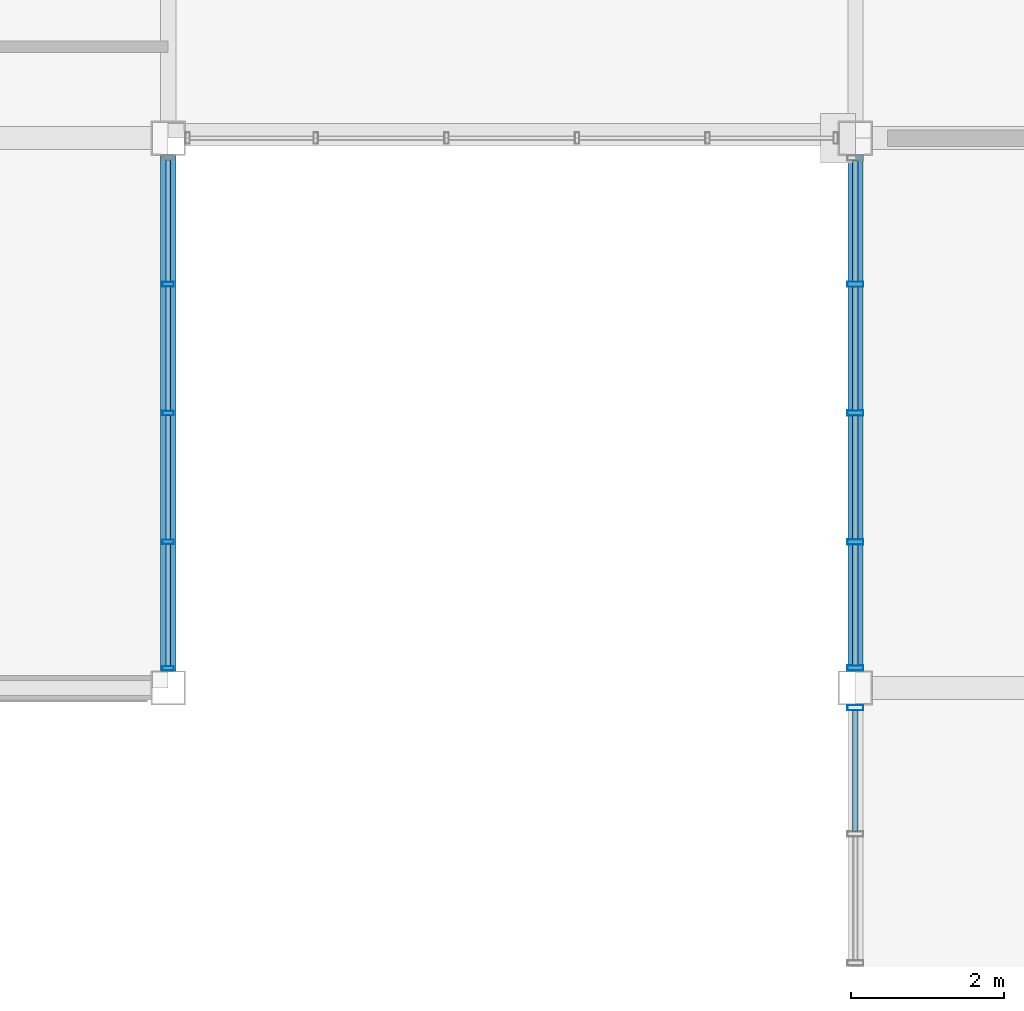
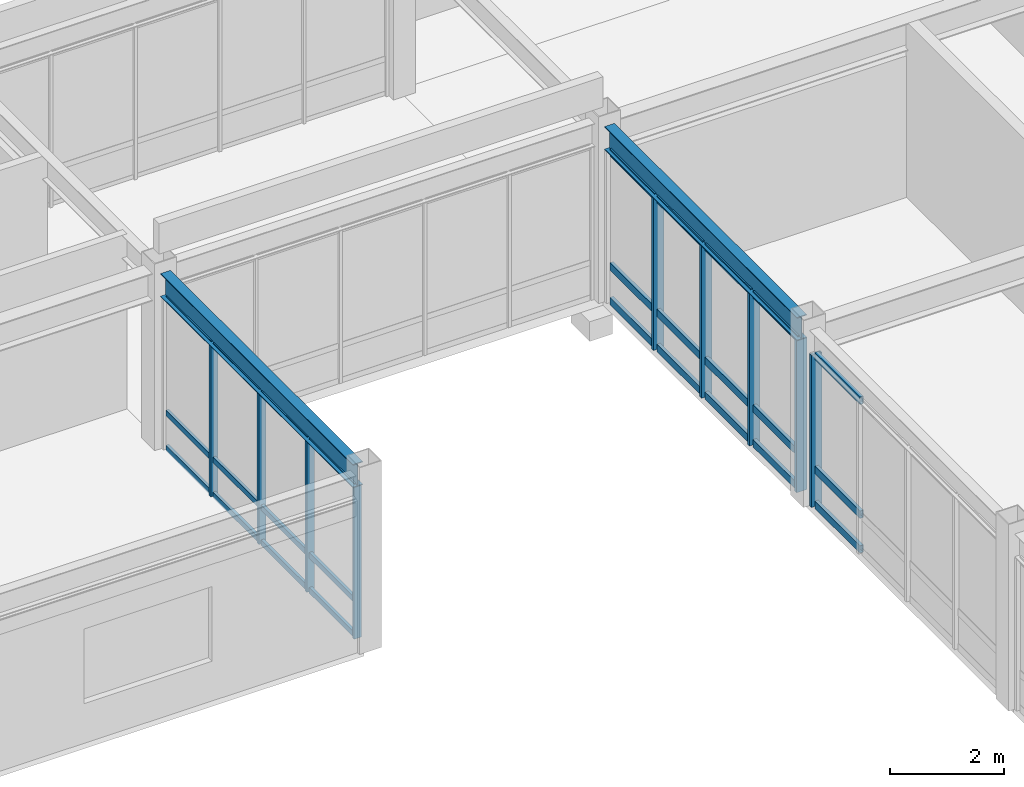
# One storey, part 34 of 122: 36 members, 2 beams, 3 elements without a shape of their own.
"""IFC4 building model written with IfcOpenShell, lengths in metres."""

from ifc_helpers import new_model, si_unit, direction, frame, origin, origin_2d, place, context, subcontext, project, spatial, hollow_rectangle, i_section, extrude, material, material_profile, profile_set, type_object, element, aggregate, save


model = new_model("IFC4")

# Units and contexts
model_context = context("Model", 3, precision=1e-05, world=origin(), true_north=direction((0.0, 1.0)))
body_context = subcontext(model_context, "Body", "Model", "MODEL_VIEW")
ifc_project = project(units=[si_unit("LENGTHUNIT", "METRE"), si_unit("AREAUNIT", "SQUARE_METRE"), si_unit("VOLUMEUNIT", "CUBIC_METRE"), si_unit("PLANEANGLEUNIT", "RADIAN"), si_unit("MASSUNIT", "GRAM", prefix="KILO")], contexts=[model_context])

# Site, building, storey
site_placement = place(None, origin())
site = spatial("IfcSite", under=ifc_project, at=site_placement, CompositionType="ELEMENT")
building_placement = place(site_placement, origin())
building = spatial("IfcBuilding", under=site, at=building_placement, Name="Kazanami Central Library", CompositionType="ELEMENT")
storey_placement = place(building_placement, frame((0.0, 0.0, 4.800048828125)))
storey = spatial("IfcBuildingStorey", under=building, at=storey_placement, Name="L02", CompositionType="ELEMENT", Elevation=4.800048828125)

# Beams
ifc_material_1 = material(Name="Steel SN490B (325 MPa)", Category="steel")
ifc_material_profile_1 = material_profile(ifc_material_1, i_section(OverallWidth=0.199951171875, OverallDepth=0.5, WebThickness=0.010009765625, FlangeThickness=0.01611328125, at=origin_2d()), Name="H-500x200x10x16")
ifc_profile_set_1 = profile_set([ifc_material_profile_1], Name="Steel SN490B (325 MPa)")
beam_type = type_object("IfcBeamType", Name="BM-SP-1", PredefinedType="SPANDREL", material=ifc_profile_set_1)
for number, where, z_axis, x_axis, name in (
    (1, (36.0, 57.822998046875, 3.5048828125), (0.0, 1.0, 0.0), (-1.0, 0.0, 0.0), "Girder SP-1 L02 5/J-K"),
    (2, (45.0, 57.822998046875, 3.5048828125), (0.0, 1.0, 0.0), (-1.0, 0.0, 0.0), "Girder SP-1 L02 6/J-K"),
):
    element("IfcBeam", number, at=place(storey_placement, frame(where, z_axis=z_axis, x_axis=x_axis)), inside=storey, type_object=beam_type, Name=name, PredefinedType="SPANDREL", context=body_context, shape_type="SweptSolid", body=[
        extrude(i_section(OverallWidth=0.199951171875, OverallDepth=0.5, WebThickness=0.010009765625, FlangeThickness=0.01611328125, at=origin_2d()), origin(), (0.0, 0.0, 1.0), 6.75390625),
    ])

# Curtain wall, member
ifc_material_2 = material(Name="Acid-Etched Low-E Laminated Glass", Category="glass")
curtain_wall_type = type_object("IfcCurtainWallType", Name="CW-6750x3255-M180", PredefinedType="USERDEFINED", material=ifc_material_2)
curtain_wall_1_placement = place(storey_placement, origin())
curtain_wall_1 = element("IfcCurtainWall", 3, at=curtain_wall_1_placement, inside=storey, type_object=curtain_wall_type, Name="Covered Link Bridge Curtain Wall CW-21 L02 W-6-07", ObjectType="UNITISED CURTAIN WALL", PredefinedType="USERDEFINED")
ifc_material_3 = material(Name="Anodised Aluminium A6063-T5", Category="aluminium")
ifc_material_profile_2 = material_profile(ifc_material_3, hollow_rectangle(XDim=0.070068359375, YDim=0.2099609375, WallThickness=0.0048828125, at=origin_2d()), Name="ALU-MULL-70x210x5")
ifc_profile_set_2 = profile_set([ifc_material_profile_2], Name="Anodised Aluminium A6063-T5")
member_type_1 = type_object("IfcMemberType", Name="MEM-CW-M1", PredefinedType="MULLION", material=ifc_profile_set_2)
member_1_placement = place(storey_placement, frame((45.0, 57.340087890625, 0.0), z_axis=(0.0, 0.0, 1.0), x_axis=(0.0, 1.0, 0.0)))
member_1 = element("IfcMember", 4, at=member_1_placement, type_object=member_type_1, Name="CW-21 mullion 5", PredefinedType="MULLION", context=body_context, shape_type="SweptSolid", body=[
    extrude(hollow_rectangle(XDim=0.070068359375, YDim=0.2099609375, WallThickness=0.0048828125, at=origin_2d()), origin(), (0.0, 0.0, 1.0), 3.2548828125),
])

# Curtain wall, members
curtain_wall_2_placement = place(storey_placement, origin())
curtain_wall_2 = element("IfcCurtainWall", 5, at=curtain_wall_2_placement, inside=storey, type_object=curtain_wall_type, Name="Covered Link Bridge Curtain Wall CW-21 L02 W-6-08", ObjectType="UNITISED CURTAIN WALL", PredefinedType="USERDEFINED")
member_2_placement = place(storey_placement, frame((45.0, 57.860107421875, 0.0), z_axis=(0.0, 0.0, 1.0), x_axis=(0.0, 1.0, 0.0)))
member_2 = element("IfcMember", 6, at=member_2_placement, type_object=member_type_1, Name="CW-21 mullion 1", PredefinedType="MULLION", context=body_context, shape_type="SweptSolid", body=[
    extrude(hollow_rectangle(XDim=0.070068359375, YDim=0.2099609375, WallThickness=0.0048828125, at=origin_2d()), origin(), (0.0, 0.0, 1.0), 3.2548828125),
])
member_3_placement = place(storey_placement, frame((45.0, 59.512451171875, 0.0), z_axis=(0.0, 0.0, 1.0), x_axis=(0.0, 1.0, 0.0)))
member_3 = element("IfcMember", 7, at=member_3_placement, type_object=member_type_1, Name="CW-21 mullion 2", PredefinedType="MULLION", context=body_context, shape_type="SweptSolid", body=[
    extrude(hollow_rectangle(XDim=0.070068359375, YDim=0.2099609375, WallThickness=0.0048828125, at=origin_2d()), origin(), (0.0, 0.0, 1.0), 3.2548828125),
])
member_4_placement = place(storey_placement, frame((45.0, 61.199951171875, 0.0), z_axis=(0.0, 0.0, 1.0), x_axis=(0.0, 1.0, 0.0)))
member_4 = element("IfcMember", 8, at=member_4_placement, type_object=member_type_1, Name="CW-21 mullion 3", PredefinedType="MULLION", context=body_context, shape_type="SweptSolid", body=[
    extrude(hollow_rectangle(XDim=0.070068359375, YDim=0.2099609375, WallThickness=0.0048828125, at=origin_2d()), origin(), (0.0, 0.0, 1.0), 3.2548828125),
])
member_5_placement = place(storey_placement, frame((45.0, 62.887451171875, 0.0), z_axis=(0.0, 0.0, 1.0), x_axis=(0.0, 1.0, 0.0)))
member_5 = element("IfcMember", 9, at=member_5_placement, type_object=member_type_1, Name="CW-21 mullion 4", PredefinedType="MULLION", context=body_context, shape_type="SweptSolid", body=[
    extrude(hollow_rectangle(XDim=0.070068359375, YDim=0.2099609375, WallThickness=0.0048828125, at=origin_2d()), origin(), (0.0, 0.0, 1.0), 3.2548828125),
])

curtain_wall_3_placement = place(storey_placement, origin())
curtain_wall_3 = element("IfcCurtainWall", 10, at=curtain_wall_3_placement, inside=storey, type_object=curtain_wall_type, Name="Covered Link Bridge Curtain Wall CW-21 L02 E-5-08", ObjectType="UNITISED CURTAIN WALL", PredefinedType="USERDEFINED")
ifc_material_profile_3 = material_profile(ifc_material_3, hollow_rectangle(XDim=0.06005859375, YDim=0.14990234375, WallThickness=0.00390625, at=origin_2d()), Name="ALU-MULL-60x150x4")
ifc_profile_set_3 = profile_set([ifc_material_profile_3], Name="Anodised Aluminium A6063-T5")
member_type_2 = type_object("IfcMemberType", Name="MEM-CW-M3", PredefinedType="MULLION", material=ifc_profile_set_3)
member_6_placement = place(storey_placement, frame((36.0, 62.887451171875, 0.0), z_axis=(0.0, 0.0, 1.0), x_axis=(0.0, -1.0, 0.0)))
member_6 = element("IfcMember", 11, at=member_6_placement, type_object=member_type_2, Name="CW-21 mullion 2", PredefinedType="MULLION", context=body_context, shape_type="SweptSolid", body=[
    extrude(hollow_rectangle(XDim=0.06005859375, YDim=0.14990234375, WallThickness=0.00390625, at=origin_2d()), origin(), (0.0, 0.0, 1.0), 3.2548828125),
])
member_7_placement = place(storey_placement, frame((36.0, 61.199951171875, 0.0), z_axis=(0.0, 0.0, 1.0), x_axis=(0.0, -1.0, 0.0)))
member_7 = element("IfcMember", 12, at=member_7_placement, type_object=member_type_2, Name="CW-21 mullion 3", PredefinedType="MULLION", context=body_context, shape_type="SweptSolid", body=[
    extrude(hollow_rectangle(XDim=0.06005859375, YDim=0.14990234375, WallThickness=0.00390625, at=origin_2d()), origin(), (0.0, 0.0, 1.0), 3.2548828125),
])
member_8_placement = place(storey_placement, frame((36.0, 59.512451171875, 0.0), z_axis=(0.0, 0.0, 1.0), x_axis=(0.0, -1.0, 0.0)))
member_8 = element("IfcMember", 13, at=member_8_placement, type_object=member_type_2, Name="CW-21 mullion 4", PredefinedType="MULLION", context=body_context, shape_type="SweptSolid", body=[
    extrude(hollow_rectangle(XDim=0.06005859375, YDim=0.14990234375, WallThickness=0.00390625, at=origin_2d()), origin(), (0.0, 0.0, 1.0), 3.2548828125),
])
member_9_placement = place(storey_placement, frame((36.0, 57.85498046875, 0.0), z_axis=(0.0, 0.0, 1.0), x_axis=(0.0, -1.0, 0.0)))
member_9 = element("IfcMember", 14, at=member_9_placement, type_object=member_type_2, Name="CW-21 mullion 5", PredefinedType="MULLION", context=body_context, shape_type="SweptSolid", body=[
    extrude(hollow_rectangle(XDim=0.06005859375, YDim=0.14990234375, WallThickness=0.00390625, at=origin_2d()), origin(), (0.0, 0.0, 1.0), 3.2548828125),
])

# Member
ifc_material_profile_4 = material_profile(ifc_material_3, hollow_rectangle(XDim=0.070068359375, YDim=0.159912109375, WallThickness=0.00390625, at=origin_2d()), Name="ALU-TRAN-70x160x4")
ifc_profile_set_4 = profile_set([ifc_material_profile_4], Name="Anodised Aluminium A6063-T5")
member_type_3 = type_object("IfcMemberType", Name="MEM-CW-T1", PredefinedType="USERDEFINED", material=ifc_profile_set_4)
member_10_placement = place(storey_placement, frame((45.0, 55.722412109375, 0.034912109375), z_axis=(0.0, 1.0, 0.0), x_axis=(-1.0, 0.0, 0.0)))
member_10 = element("IfcMember", 15, at=member_10_placement, type_object=member_type_3, Name="CW-21 transom 4.1", ObjectType="TRANSOM", PredefinedType="USERDEFINED", context=body_context, shape_type="SweptSolid", body=[
    extrude(hollow_rectangle(XDim=0.070068359375, YDim=0.159912109375, WallThickness=0.00390625, at=origin_2d()), origin(), (0.0, 0.0, 1.0), 1.58251953125),
])

member_11_placement = place(storey_placement, frame((45.0, 55.722412109375, 0.780029296875), z_axis=(0.0, 1.0, 0.0), x_axis=(-1.0, 0.0, 0.0)))
member_11 = element("IfcMember", 16, at=member_11_placement, type_object=member_type_3, Name="CW-21 transom 4.2", ObjectType="TRANSOM", PredefinedType="USERDEFINED", context=body_context, shape_type="SweptSolid", body=[
    extrude(hollow_rectangle(XDim=0.070068359375, YDim=0.159912109375, WallThickness=0.00390625, at=origin_2d()), origin(), (0.0, 0.0, 1.0), 1.58251953125),
])

member_12_placement = place(storey_placement, frame((45.0, 55.722412109375, 3.219970703125), z_axis=(0.0, 1.0, 0.0), x_axis=(-1.0, 0.0, 0.0)))
member_12 = element("IfcMember", 17, at=member_12_placement, type_object=member_type_3, Name="CW-21 transom 4.3", ObjectType="TRANSOM", PredefinedType="USERDEFINED", context=body_context, shape_type="SweptSolid", body=[
    extrude(hollow_rectangle(XDim=0.070068359375, YDim=0.159912109375, WallThickness=0.00390625, at=origin_2d()), origin(), (0.0, 0.0, 1.0), 1.58251953125),
])

aggregate(curtain_wall_1, [member_1, member_10, member_11, member_12])

member_13_placement = place(storey_placement, frame((45.0, 57.89501953125, 0.034912109375), z_axis=(0.0, 1.0, 0.0), x_axis=(-1.0, 0.0, 0.0)))
member_13 = element("IfcMember", 18, at=member_13_placement, type_object=member_type_3, Name="CW-21 transom 1.1", ObjectType="TRANSOM", PredefinedType="USERDEFINED", context=body_context, shape_type="SweptSolid", body=[
    extrude(hollow_rectangle(XDim=0.070068359375, YDim=0.159912109375, WallThickness=0.00390625, at=origin_2d()), origin(), (0.0, 0.0, 1.0), 1.58251953125),
])

member_14_placement = place(storey_placement, frame((45.0, 57.89501953125, 0.780029296875), z_axis=(0.0, 1.0, 0.0), x_axis=(-1.0, 0.0, 0.0)))
member_14 = element("IfcMember", 19, at=member_14_placement, type_object=member_type_3, Name="CW-21 transom 1.2", ObjectType="TRANSOM", PredefinedType="USERDEFINED", context=body_context, shape_type="SweptSolid", body=[
    extrude(hollow_rectangle(XDim=0.070068359375, YDim=0.159912109375, WallThickness=0.00390625, at=origin_2d()), origin(), (0.0, 0.0, 1.0), 1.58251953125),
])

member_15_placement = place(storey_placement, frame((45.0, 57.89501953125, 3.219970703125), z_axis=(0.0, 1.0, 0.0), x_axis=(-1.0, 0.0, 0.0)))
member_15 = element("IfcMember", 20, at=member_15_placement, type_object=member_type_3, Name="CW-21 transom 1.3", ObjectType="TRANSOM", PredefinedType="USERDEFINED", context=body_context, shape_type="SweptSolid", body=[
    extrude(hollow_rectangle(XDim=0.070068359375, YDim=0.159912109375, WallThickness=0.00390625, at=origin_2d()), origin(), (0.0, 0.0, 1.0), 1.58251953125),
])

member_16_placement = place(storey_placement, frame((45.0, 59.547607421875, 0.034912109375), z_axis=(0.0, 1.0, 0.0), x_axis=(-1.0, 0.0, 0.0)))
member_16 = element("IfcMember", 21, at=member_16_placement, type_object=member_type_3, Name="CW-21 transom 2.1", ObjectType="TRANSOM", PredefinedType="USERDEFINED", context=body_context, shape_type="SweptSolid", body=[
    extrude(hollow_rectangle(XDim=0.070068359375, YDim=0.159912109375, WallThickness=0.00390625, at=origin_2d()), origin(), (0.0, 0.0, 1.0), 1.617431640625),
])

member_17_placement = place(storey_placement, frame((45.0, 59.547607421875, 0.780029296875), z_axis=(0.0, 1.0, 0.0), x_axis=(-1.0, 0.0, 0.0)))
member_17 = element("IfcMember", 22, at=member_17_placement, type_object=member_type_3, Name="CW-21 transom 2.2", ObjectType="TRANSOM", PredefinedType="USERDEFINED", context=body_context, shape_type="SweptSolid", body=[
    extrude(hollow_rectangle(XDim=0.070068359375, YDim=0.159912109375, WallThickness=0.00390625, at=origin_2d()), origin(), (0.0, 0.0, 1.0), 1.617431640625),
])

member_18_placement = place(storey_placement, frame((45.0, 59.547607421875, 3.219970703125), z_axis=(0.0, 1.0, 0.0), x_axis=(-1.0, 0.0, 0.0)))
member_18 = element("IfcMember", 23, at=member_18_placement, type_object=member_type_3, Name="CW-21 transom 2.3", ObjectType="TRANSOM", PredefinedType="USERDEFINED", context=body_context, shape_type="SweptSolid", body=[
    extrude(hollow_rectangle(XDim=0.070068359375, YDim=0.159912109375, WallThickness=0.00390625, at=origin_2d()), origin(), (0.0, 0.0, 1.0), 1.617431640625),
])

member_19_placement = place(storey_placement, frame((45.0, 61.235107421875, 0.034912109375), z_axis=(0.0, 1.0, 0.0), x_axis=(-1.0, 0.0, 0.0)))
member_19 = element("IfcMember", 24, at=member_19_placement, type_object=member_type_3, Name="CW-21 transom 3.1", ObjectType="TRANSOM", PredefinedType="USERDEFINED", context=body_context, shape_type="SweptSolid", body=[
    extrude(hollow_rectangle(XDim=0.070068359375, YDim=0.159912109375, WallThickness=0.00390625, at=origin_2d()), origin(), (0.0, 0.0, 1.0), 1.617431640625),
])

member_20_placement = place(storey_placement, frame((45.0, 61.235107421875, 0.780029296875), z_axis=(0.0, 1.0, 0.0), x_axis=(-1.0, 0.0, 0.0)))
member_20 = element("IfcMember", 25, at=member_20_placement, type_object=member_type_3, Name="CW-21 transom 3.2", ObjectType="TRANSOM", PredefinedType="USERDEFINED", context=body_context, shape_type="SweptSolid", body=[
    extrude(hollow_rectangle(XDim=0.070068359375, YDim=0.159912109375, WallThickness=0.00390625, at=origin_2d()), origin(), (0.0, 0.0, 1.0), 1.617431640625),
])

member_21_placement = place(storey_placement, frame((45.0, 61.235107421875, 3.219970703125), z_axis=(0.0, 1.0, 0.0), x_axis=(-1.0, 0.0, 0.0)))
member_21 = element("IfcMember", 26, at=member_21_placement, type_object=member_type_3, Name="CW-21 transom 3.3", ObjectType="TRANSOM", PredefinedType="USERDEFINED", context=body_context, shape_type="SweptSolid", body=[
    extrude(hollow_rectangle(XDim=0.070068359375, YDim=0.159912109375, WallThickness=0.00390625, at=origin_2d()), origin(), (0.0, 0.0, 1.0), 1.617431640625),
])

member_22_placement = place(storey_placement, frame((45.0, 62.922607421875, 0.034912109375), z_axis=(0.0, 1.0, 0.0), x_axis=(-1.0, 0.0, 0.0)))
member_22 = element("IfcMember", 27, at=member_22_placement, type_object=member_type_3, Name="CW-21 transom 4.1", ObjectType="TRANSOM", PredefinedType="USERDEFINED", context=body_context, shape_type="SweptSolid", body=[
    extrude(hollow_rectangle(XDim=0.070068359375, YDim=0.159912109375, WallThickness=0.00390625, at=origin_2d()), origin(), (0.0, 0.0, 1.0), 1.582275390625),
])

member_23_placement = place(storey_placement, frame((45.0, 62.922607421875, 0.780029296875), z_axis=(0.0, 1.0, 0.0), x_axis=(-1.0, 0.0, 0.0)))
member_23 = element("IfcMember", 28, at=member_23_placement, type_object=member_type_3, Name="CW-21 transom 4.2", ObjectType="TRANSOM", PredefinedType="USERDEFINED", context=body_context, shape_type="SweptSolid", body=[
    extrude(hollow_rectangle(XDim=0.070068359375, YDim=0.159912109375, WallThickness=0.00390625, at=origin_2d()), origin(), (0.0, 0.0, 1.0), 1.582275390625),
])

member_24_placement = place(storey_placement, frame((45.0, 62.922607421875, 3.219970703125), z_axis=(0.0, 1.0, 0.0), x_axis=(-1.0, 0.0, 0.0)))
member_24 = element("IfcMember", 29, at=member_24_placement, type_object=member_type_3, Name="CW-21 transom 4.3", ObjectType="TRANSOM", PredefinedType="USERDEFINED", context=body_context, shape_type="SweptSolid", body=[
    extrude(hollow_rectangle(XDim=0.070068359375, YDim=0.159912109375, WallThickness=0.00390625, at=origin_2d()), origin(), (0.0, 0.0, 1.0), 1.582275390625),
])

aggregate(curtain_wall_2, [member_2, member_3, member_4, member_5, member_13, member_14, member_15, member_16, member_17, member_18, member_19, member_20, member_21, member_22, member_23, member_24])

ifc_material_profile_5 = material_profile(ifc_material_3, hollow_rectangle(XDim=0.06005859375, YDim=0.1201171875, WallThickness=0.00341796875, at=origin_2d()), Name="ALU-TRAN-60x120x3.5")
ifc_profile_set_5 = profile_set([ifc_material_profile_5], Name="Anodised Aluminium A6063-T5")
member_type_4 = type_object("IfcMemberType", Name="MEM-CW-T3", PredefinedType="USERDEFINED", material=ifc_profile_set_5)
member_25_placement = place(storey_placement, frame((36.0, 64.514892578125, 0.030029296875), z_axis=(0.0, -1.0, 0.0), x_axis=(1.0, 0.0, 0.0)))
member_25 = element("IfcMember", 30, at=member_25_placement, type_object=member_type_4, Name="CW-21 transom 1.1", ObjectType="TRANSOM", PredefinedType="USERDEFINED", context=body_context, shape_type="SweptSolid", body=[
    extrude(hollow_rectangle(XDim=0.06005859375, YDim=0.1201171875, WallThickness=0.00341796875, at=origin_2d()), origin(), (0.0, 0.0, 1.0), 1.597412109375),
])

member_26_placement = place(storey_placement, frame((36.0, 64.514892578125, 0.780029296875), z_axis=(0.0, -1.0, 0.0), x_axis=(1.0, 0.0, 0.0)))
member_26 = element("IfcMember", 31, at=member_26_placement, type_object=member_type_4, Name="CW-21 transom 1.2", ObjectType="TRANSOM", PredefinedType="USERDEFINED", context=body_context, shape_type="SweptSolid", body=[
    extrude(hollow_rectangle(XDim=0.06005859375, YDim=0.1201171875, WallThickness=0.00341796875, at=origin_2d()), origin(), (0.0, 0.0, 1.0), 1.597412109375),
])

member_27_placement = place(storey_placement, frame((36.0, 64.514892578125, 3.224853515625), z_axis=(0.0, -1.0, 0.0), x_axis=(1.0, 0.0, 0.0)))
member_27 = element("IfcMember", 32, at=member_27_placement, type_object=member_type_4, Name="CW-21 transom 1.3", ObjectType="TRANSOM", PredefinedType="USERDEFINED", context=body_context, shape_type="SweptSolid", body=[
    extrude(hollow_rectangle(XDim=0.06005859375, YDim=0.1201171875, WallThickness=0.00341796875, at=origin_2d()), origin(), (0.0, 0.0, 1.0), 1.597412109375),
])

member_28_placement = place(storey_placement, frame((36.0, 62.857421875, 0.030029296875), z_axis=(0.0, -1.0, 0.0), x_axis=(1.0, 0.0, 0.0)))
member_28 = element("IfcMember", 33, at=member_28_placement, type_object=member_type_4, Name="CW-21 transom 2.1", ObjectType="TRANSOM", PredefinedType="USERDEFINED", context=body_context, shape_type="SweptSolid", body=[
    extrude(hollow_rectangle(XDim=0.06005859375, YDim=0.1201171875, WallThickness=0.00341796875, at=origin_2d()), origin(), (0.0, 0.0, 1.0), 1.62744140625),
])

member_29_placement = place(storey_placement, frame((36.0, 62.857421875, 0.780029296875), z_axis=(0.0, -1.0, 0.0), x_axis=(1.0, 0.0, 0.0)))
member_29 = element("IfcMember", 34, at=member_29_placement, type_object=member_type_4, Name="CW-21 transom 2.2", ObjectType="TRANSOM", PredefinedType="USERDEFINED", context=body_context, shape_type="SweptSolid", body=[
    extrude(hollow_rectangle(XDim=0.06005859375, YDim=0.1201171875, WallThickness=0.00341796875, at=origin_2d()), origin(), (0.0, 0.0, 1.0), 1.62744140625),
])

member_30_placement = place(storey_placement, frame((36.0, 62.857421875, 3.224853515625), z_axis=(0.0, -1.0, 0.0), x_axis=(1.0, 0.0, 0.0)))
member_30 = element("IfcMember", 35, at=member_30_placement, type_object=member_type_4, Name="CW-21 transom 2.3", ObjectType="TRANSOM", PredefinedType="USERDEFINED", context=body_context, shape_type="SweptSolid", body=[
    extrude(hollow_rectangle(XDim=0.06005859375, YDim=0.1201171875, WallThickness=0.00341796875, at=origin_2d()), origin(), (0.0, 0.0, 1.0), 1.62744140625),
])

member_31_placement = place(storey_placement, frame((36.0, 61.169921875, 0.030029296875), z_axis=(0.0, -1.0, 0.0), x_axis=(1.0, 0.0, 0.0)))
member_31 = element("IfcMember", 36, at=member_31_placement, type_object=member_type_4, Name="CW-21 transom 3.1", ObjectType="TRANSOM", PredefinedType="USERDEFINED", context=body_context, shape_type="SweptSolid", body=[
    extrude(hollow_rectangle(XDim=0.06005859375, YDim=0.1201171875, WallThickness=0.00341796875, at=origin_2d()), origin(), (0.0, 0.0, 1.0), 1.62744140625),
])

member_32_placement = place(storey_placement, frame((36.0, 61.169921875, 0.780029296875), z_axis=(0.0, -1.0, 0.0), x_axis=(1.0, 0.0, 0.0)))
member_32 = element("IfcMember", 37, at=member_32_placement, type_object=member_type_4, Name="CW-21 transom 3.2", ObjectType="TRANSOM", PredefinedType="USERDEFINED", context=body_context, shape_type="SweptSolid", body=[
    extrude(hollow_rectangle(XDim=0.06005859375, YDim=0.1201171875, WallThickness=0.00341796875, at=origin_2d()), origin(), (0.0, 0.0, 1.0), 1.62744140625),
])

member_33_placement = place(storey_placement, frame((36.0, 61.169921875, 3.224853515625), z_axis=(0.0, -1.0, 0.0), x_axis=(1.0, 0.0, 0.0)))
member_33 = element("IfcMember", 38, at=member_33_placement, type_object=member_type_4, Name="CW-21 transom 3.3", ObjectType="TRANSOM", PredefinedType="USERDEFINED", context=body_context, shape_type="SweptSolid", body=[
    extrude(hollow_rectangle(XDim=0.06005859375, YDim=0.1201171875, WallThickness=0.00341796875, at=origin_2d()), origin(), (0.0, 0.0, 1.0), 1.62744140625),
])

member_34_placement = place(storey_placement, frame((36.0, 59.482421875, 0.030029296875), z_axis=(0.0, -1.0, 0.0), x_axis=(1.0, 0.0, 0.0)))
member_34 = element("IfcMember", 39, at=member_34_placement, type_object=member_type_4, Name="CW-21 transom 4.1", ObjectType="TRANSOM", PredefinedType="USERDEFINED", context=body_context, shape_type="SweptSolid", body=[
    extrude(hollow_rectangle(XDim=0.06005859375, YDim=0.1201171875, WallThickness=0.00341796875, at=origin_2d()), origin(), (0.0, 0.0, 1.0), 1.597412109375),
])

member_35_placement = place(storey_placement, frame((36.0, 59.482421875, 0.780029296875), z_axis=(0.0, -1.0, 0.0), x_axis=(1.0, 0.0, 0.0)))
member_35 = element("IfcMember", 40, at=member_35_placement, type_object=member_type_4, Name="CW-21 transom 4.2", ObjectType="TRANSOM", PredefinedType="USERDEFINED", context=body_context, shape_type="SweptSolid", body=[
    extrude(hollow_rectangle(XDim=0.06005859375, YDim=0.1201171875, WallThickness=0.00341796875, at=origin_2d()), origin(), (0.0, 0.0, 1.0), 1.597412109375),
])

member_36_placement = place(storey_placement, frame((36.0, 59.482421875, 3.224853515625), z_axis=(0.0, -1.0, 0.0), x_axis=(1.0, 0.0, 0.0)))
member_36 = element("IfcMember", 41, at=member_36_placement, type_object=member_type_4, Name="CW-21 transom 4.3", ObjectType="TRANSOM", PredefinedType="USERDEFINED", context=body_context, shape_type="SweptSolid", body=[
    extrude(hollow_rectangle(XDim=0.06005859375, YDim=0.1201171875, WallThickness=0.00341796875, at=origin_2d()), origin(), (0.0, 0.0, 1.0), 1.597412109375),
])

aggregate(curtain_wall_3, [member_6, member_7, member_8, member_9, member_25, member_26, member_27, member_28, member_29, member_30, member_31, member_32, member_33, member_34, member_35, member_36])

save(model, "model.ifc")
